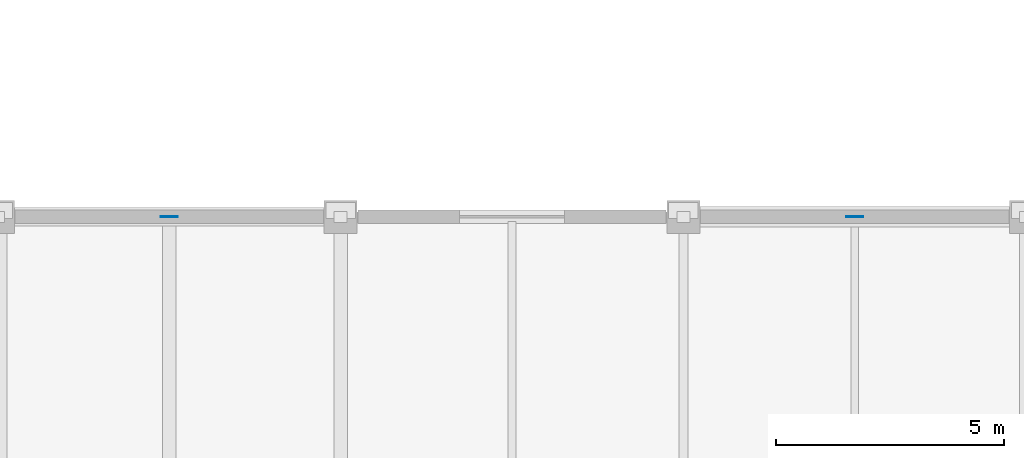
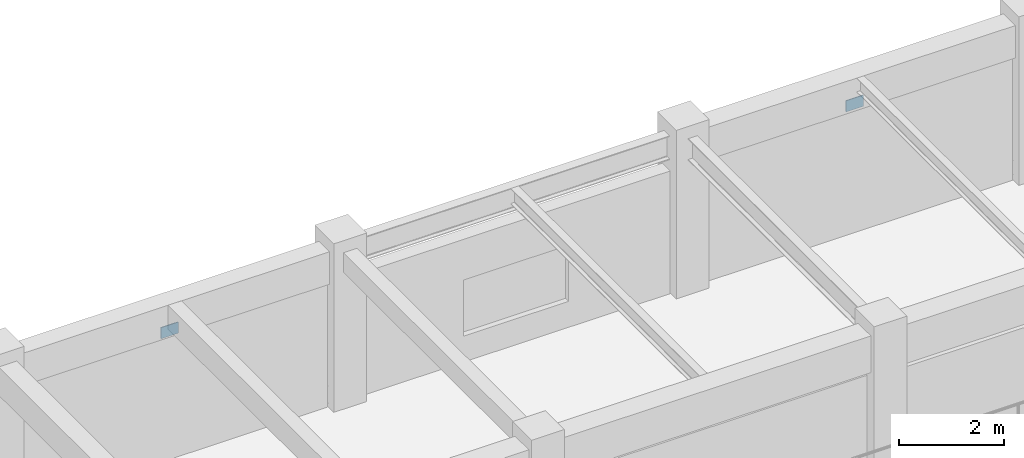
# One storey, part 72 of 101: 2 plates.
"""IFC4 building model written with IfcOpenShell, lengths in metres."""

from ifc_helpers import new_model, si_unit, direction, frame, origin, origin_2d, place, context, subcontext, project, spatial, rectangle, extrude, material, layer, layer_set, type_object, element, save


model = new_model("IFC4")

# Units and contexts
model_context = context("Model", 3, precision=1e-05, world=origin(), true_north=direction((0.0, 1.0)))
body_context = subcontext(model_context, "Body", "Model", "MODEL_VIEW")
ifc_project = project(units=[si_unit("LENGTHUNIT", "METRE"), si_unit("AREAUNIT", "SQUARE_METRE"), si_unit("VOLUMEUNIT", "CUBIC_METRE"), si_unit("PLANEANGLEUNIT", "RADIAN"), si_unit("MASSUNIT", "GRAM", prefix="KILO")], contexts=[model_context])

# Site, building, storey
site_placement = place(None, origin())
site = spatial("IfcSite", under=ifc_project, at=site_placement, CompositionType="ELEMENT")
building_placement = place(site_placement, origin())
building = spatial("IfcBuilding", under=site, at=building_placement, Name="Qasida Concert Hall", CompositionType="ELEMENT")
storey_placement = place(building_placement, frame((0.0, 0.0, 13.199951171875)))
storey = spatial("IfcBuildingStorey", under=building, at=storey_placement, Name="L03", CompositionType="ELEMENT", Elevation=13.199951171875)

# Plates
ifc_material = material(Name="Steel S355J2", Category="steel")
ifc_layer = layer(ifc_material, 0.01611328125, Name="Steel S355J2")
ifc_layer_set = layer_set([ifc_layer], Name="Steel S355J2")
plate_type = type_object("IfcPlateType", Name="PLT-PL-EC3", PredefinedType="SHEET", material=ifc_layer_set)
for number, where, z_axis, x_axis, name in (
    (1, (71.25, 82.5, 2.740234375), (0.0, 0.0, 1.0), (1.0, 0.0, 0.0), "Chevron apex plate CBF-0086"),
    (2, (86.25, 82.5, 2.740234375), (0.0, 0.0, 1.0), (1.0, 0.0, 0.0), "Chevron apex plate CBF-0092"),
):
    element("IfcPlate", number, at=place(storey_placement, frame(where, z_axis=z_axis, x_axis=x_axis)), inside=storey, type_object=plate_type, Name=name, PredefinedType="SHEET", context=body_context, shape_type="SweptSolid", body=[
        extrude(rectangle(XDim=0.3798828125, YDim=0.01611328125, at=origin_2d()), origin(), (0.0, 0.0, 1.0), 0.260009765625),
    ])

save(model, "model.ifc")
